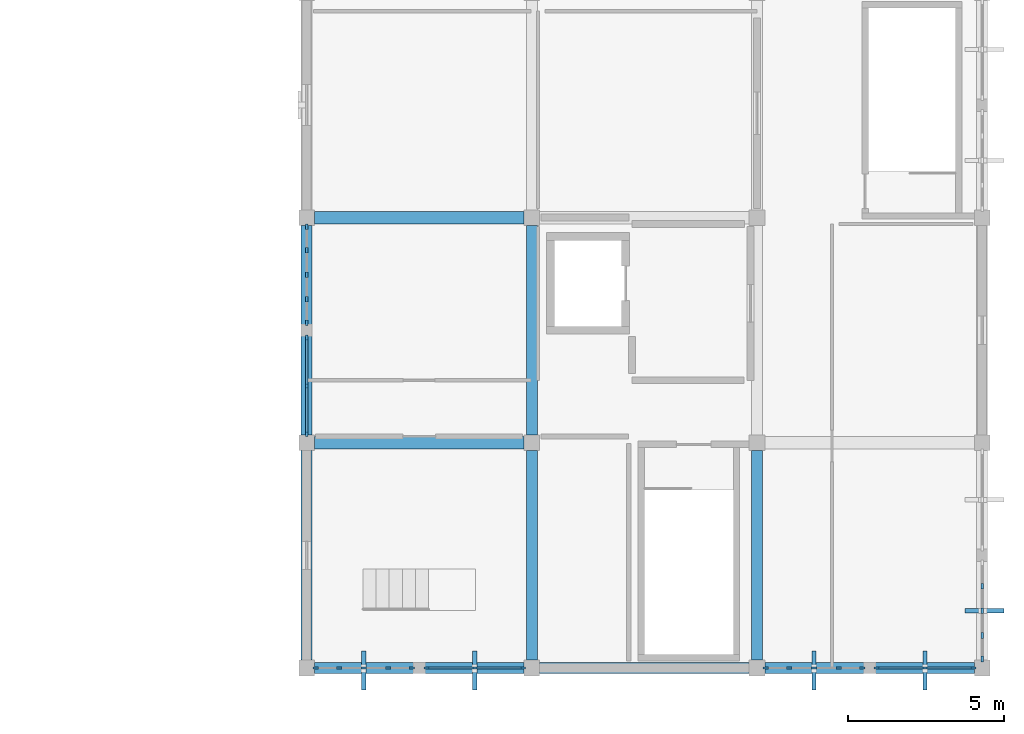
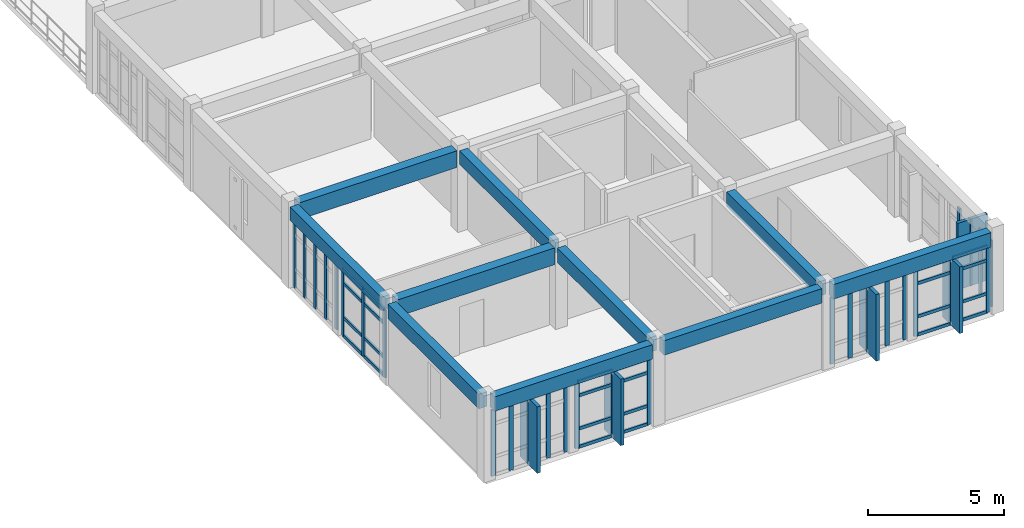
# One storey, part 2 of 14: 57 members, 10 beams, 7 elements without a shape of their own.
"""IFC4 building model written with IfcOpenShell, lengths in metres."""

from ifc_helpers import new_model, si_unit, direction, frame, origin, origin_2d, place, context, subcontext, project, spatial, rectangle, extrude, material, layer, layer_set, material_profile, profile_set, type_object, element, aggregate, save


model = new_model("IFC4")

# Units and contexts
model_context = context("Model", 3, precision=1e-05, world=origin(), true_north=direction((0.0, 1.0)))
body_context = subcontext(model_context, "Body", "Model", "MODEL_VIEW")
ifc_project = project(units=[si_unit("LENGTHUNIT", "METRE"), si_unit("AREAUNIT", "SQUARE_METRE"), si_unit("VOLUMEUNIT", "CUBIC_METRE"), si_unit("PLANEANGLEUNIT", "RADIAN"), si_unit("MASSUNIT", "GRAM", prefix="KILO")], contexts=[model_context])

# Site, building, storey
site_placement = place(None, origin())
site = spatial("IfcSite", under=ifc_project, at=site_placement, CompositionType="ELEMENT")
building_placement = place(site_placement, origin())
building = spatial("IfcBuilding", under=site, at=building_placement, Name="Koriwan Promenade Central Fire Station", CompositionType="ELEMENT")
storey_placement = place(building_placement, frame((0.0, 0.0, 21.300048828125)))
storey = spatial("IfcBuildingStorey", under=building, at=storey_placement, Name="L05", CompositionType="ELEMENT", Elevation=21.300048828125)

# Beams
ifc_material_1 = material(Name="Concrete C35/45", Category="concrete")
ifc_material_profile_1 = material_profile(ifc_material_1, rectangle(XDim=0.35009765625, YDim=0.60009765625, at=origin_2d()), Name="RC-BM-350x600")
ifc_profile_set_1 = profile_set([ifc_material_profile_1], Name="Concrete C35/45")
beam_type_1 = type_object("IfcBeamType", Name="Beam_RC-BM-350x600", PredefinedType="BEAM", material=ifc_profile_set_1)
for number, where, z_axis, x_axis, name in (
    (1, (151.199951171875, 7.449951171875, 3.349853515625), (0.0, 1.0, 0.0), (-1.0, 0.0, 0.0), "V5 L05 girder Y-1002"),
    (2, (158.39990234375, 7.449951171875, 3.349853515625), (0.0, 1.0, 0.0), (-1.0, 0.0, 0.0), "V5 L05 girder Y-1006"),
):
    element("IfcBeam", number, at=place(storey_placement, frame(where, z_axis=z_axis, x_axis=x_axis)), inside=storey, type_object=beam_type_1, Name=name, PredefinedType="BEAM", context=body_context, shape_type="SweptSolid", body=[
        extrude(rectangle(XDim=0.35009765625, YDim=0.60009765625, at=origin_2d()), origin(), (0.0, 0.0, 1.0), 6.699951171875),
    ])
ifc_material_profile_2 = material_profile(ifc_material_1, rectangle(XDim=0.35009765625, YDim=0.64990234375, at=origin_2d()), Name="RC-BM-350x650")
ifc_profile_set_2 = profile_set([ifc_material_profile_2], Name="Concrete C35/45")
beam_type_2 = type_object("IfcBeamType", Name="Beam_RC-BM-350x650", PredefinedType="BEAM", material=ifc_profile_set_2)
for number, where, z_axis, x_axis, name in (
    (3, (151.199951171875, 0.25, 3.324951171875), (0.0, 1.0, 0.0), (-1.0, 0.0, 0.0), "V5 L05 girder Y-1001"),
    (4, (158.39990234375, 0.25, 3.324951171875), (0.0, 1.0, 0.0), (-1.0, 0.0, 0.0), "V5 L05 girder Y-1005"),
    (5, (165.60009765625, 0.25, 3.324951171875), (0.0, 1.0, 0.0), (-1.0, 0.0, 0.0), "V5 L05 girder Y-1009"),
):
    element("IfcBeam", number, at=place(storey_placement, frame(where, z_axis=z_axis, x_axis=x_axis)), inside=storey, type_object=beam_type_2, Name=name, PredefinedType="BEAM", context=body_context, shape_type="SweptSolid", body=[
        extrude(rectangle(XDim=0.35009765625, YDim=0.64990234375, at=origin_2d()), origin(), (0.0, 0.0, 1.0), 6.699951171875),
    ])
ifc_material_profile_3 = material_profile(ifc_material_1, rectangle(XDim=0.39990234375, YDim=0.75, at=origin_2d()), Name="RC-BM-400x750")
ifc_profile_set_3 = profile_set([ifc_material_profile_3], Name="Concrete C35/45")
beam_type_3 = type_object("IfcBeamType", Name="Beam_RC-BM-400x750", PredefinedType="BEAM", material=ifc_profile_set_3)
for number, where, z_axis, x_axis, name in (
    (6, (151.449951171875, 7.199951171875, 3.27490234375), (1.0, 0.0, 0.0), (0.0, 1.0, 0.0), "V5 L05 girder X-991"),
    (7, (151.449951171875, 14.39990234375, 3.27490234375), (1.0, 0.0, 0.0), (0.0, 1.0, 0.0), "V5 L05 girder X-993"),
):
    element("IfcBeam", number, at=place(storey_placement, frame(where, z_axis=z_axis, x_axis=x_axis)), inside=storey, type_object=beam_type_3, Name=name, PredefinedType="BEAM", context=body_context, shape_type="SweptSolid", body=[
        extrude(rectangle(XDim=0.39990234375, YDim=0.75, at=origin_2d()), origin(), (0.0, 0.0, 1.0), 6.699951171875),
    ])
ifc_material_profile_4 = material_profile(ifc_material_1, rectangle(XDim=0.35009765625, YDim=0.64990234375, at=origin_2d()), Name="RC-SP-350x650")
ifc_profile_set_4 = profile_set([ifc_material_profile_4], Name="Concrete C35/45")
beam_type_4 = type_object("IfcBeamType", Name="Beam_RC-SP-350x650", PredefinedType="SPANDREL", material=ifc_profile_set_4)
beam_1_placement = place(storey_placement, frame((151.449951171875, 0.0, 3.324951171875), z_axis=(1.0, 0.0, 0.0), x_axis=(0.0, 1.0, 0.0)))
element("IfcBeam", 8, at=beam_1_placement, inside=storey, type_object=beam_type_4, Name="V5 L05 girder X-988", PredefinedType="SPANDREL", context=body_context, shape_type="SweptSolid", body=[
    extrude(rectangle(XDim=0.35009765625, YDim=0.64990234375, at=origin_2d()), origin(), (0.0, 0.0, 1.0), 6.699951171875),
])
beam_2_placement = place(storey_placement, frame((158.64990234375, 0.0, 3.324951171875), z_axis=(1.0, 0.0, 0.0), x_axis=(0.0, 1.0, 0.0)))
element("IfcBeam", 9, at=beam_2_placement, inside=storey, type_object=beam_type_4, Name="V5 L05 girder X-989", PredefinedType="SPANDREL", context=body_context, shape_type="SweptSolid", body=[
    extrude(rectangle(XDim=0.35009765625, YDim=0.64990234375, at=origin_2d()), origin(), (0.0, 0.0, 1.0), 6.7001953125),
])
beam_3_placement = place(storey_placement, frame((165.85009765625, 0.0, 3.324951171875), z_axis=(1.0, 0.0, 0.0), x_axis=(0.0, 1.0, 0.0)))
element("IfcBeam", 10, at=beam_3_placement, inside=storey, type_object=beam_type_4, Name="V5 L05 girder X-990", PredefinedType="SPANDREL", context=body_context, shape_type="SweptSolid", body=[
    extrude(rectangle(XDim=0.35009765625, YDim=0.64990234375, at=origin_2d()), origin(), (0.0, 0.0, 1.0), 6.699951171875),
])

# Curtain wall, members
ifc_material_2 = material(Name="Aluminium EN AW-6063-T6 and low-E glazing", Category="aluminium")
ifc_layer_1 = layer(ifc_material_2, 0.159912109375, Name="Aluminium EN AW-6063-T6 and low-E glazing")
ifc_layer_set_1 = layer_set([ifc_layer_1], Name="Aluminium EN AW-6063-T6 and low-E glazing")
curtain_wall_type_1 = type_object("IfcCurtainWallType", Name="CurtainWall_90_315x299", PredefinedType="USERDEFINED", material=ifc_layer_set_1)
curtain_wall_1_placement = place(storey_placement, origin())
curtain_wall_1 = element("IfcCurtainWall", 11, at=curtain_wall_1_placement, inside=storey, type_object=curtain_wall_type_1, Name="V5 L05 unitised curtain wall 277", ObjectType="UNITISED CURTAIN WALL", PredefinedType="USERDEFINED")
ifc_material_3 = material(Name="Aluminium EN AW-6063-T6", Category="aluminium")
ifc_material_profile_5 = material_profile(ifc_material_3, rectangle(XDim=0.074951171875, YDim=0.179931640625, at=origin_2d()), Name="ALU-MUL-75x180")
ifc_profile_set_5 = profile_set([ifc_material_profile_5], Name="Aluminium EN AW-6063-T6")
member_type_1 = type_object("IfcMemberType", Name="CWMullion_ALU-MUL-75x180", PredefinedType="MULLION", material=ifc_profile_set_5)
member_1_placement = place(storey_placement, frame((172.800048828125, 0.28759765625, 0.0), z_axis=(0.0, 0.0, 1.0), x_axis=(-1.0, 0.0, 0.0)))
member_1 = element("IfcMember", 12, at=member_1_placement, type_object=member_type_1, Name="CW-90 mullion 1", PredefinedType="MULLION", context=body_context, shape_type="SweptSolid", body=[
    extrude(rectangle(XDim=0.074951171875, YDim=0.179931640625, at=origin_2d()), origin(), (0.0, 0.0, 1.0), 2.989990234375),
])
member_2_placement = place(storey_placement, frame((172.800048828125, 1.03759765625, 0.0), z_axis=(0.0, 0.0, 1.0), x_axis=(-1.0, 0.0, 0.0)))
member_2 = element("IfcMember", 13, at=member_2_placement, type_object=member_type_1, Name="CW-90 mullion 2", PredefinedType="MULLION", context=body_context, shape_type="SweptSolid", body=[
    extrude(rectangle(XDim=0.074951171875, YDim=0.179931640625, at=origin_2d()), origin(), (0.0, 0.0, 1.0), 2.989990234375),
])
member_3_placement = place(storey_placement, frame((172.800048828125, 1.824951171875, 0.0), z_axis=(0.0, 0.0, 1.0), x_axis=(-1.0, 0.0, 0.0)))
member_3 = element("IfcMember", 14, at=member_3_placement, type_object=member_type_1, Name="CW-90 mullion 3", PredefinedType="MULLION", context=body_context, shape_type="SweptSolid", body=[
    extrude(rectangle(XDim=0.074951171875, YDim=0.179931640625, at=origin_2d()), origin(), (0.0, 0.0, 1.0), 2.989990234375),
])
member_4_placement = place(storey_placement, frame((172.800048828125, 2.612548828125, 0.0), z_axis=(0.0, 0.0, 1.0), x_axis=(-1.0, 0.0, 0.0)))
member_4 = element("IfcMember", 15, at=member_4_placement, type_object=member_type_1, Name="CW-90 mullion 4", PredefinedType="MULLION", context=body_context, shape_type="SweptSolid", body=[
    extrude(rectangle(XDim=0.074951171875, YDim=0.179931640625, at=origin_2d()), origin(), (0.0, 0.0, 1.0), 2.989990234375),
])
aggregate(curtain_wall_1, [member_1, member_2, member_3, member_4])

ifc_layer_2 = layer(ifc_material_2, 0.159912109375, Name="Aluminium EN AW-6063-T6 and low-E glazing")
ifc_layer_set_2 = layer_set([ifc_layer_2], Name="Aluminium EN AW-6063-T6 and low-E glazing")
curtain_wall_type_2 = type_object("IfcCurtainWallType", Name="CurtainWall_91_315x304", PredefinedType="USERDEFINED", material=ifc_layer_set_2)
curtain_wall_2_placement = place(storey_placement, origin())
curtain_wall_2 = element("IfcCurtainWall", 16, at=curtain_wall_2_placement, inside=storey, type_object=curtain_wall_type_2, Name="V5 L05 unitised curtain wall 283", ObjectType="UNITISED CURTAIN WALL", PredefinedType="USERDEFINED")
member_5_placement = place(storey_placement, frame((151.199951171875, 14.112548828125, 0.0), z_axis=(0.0, 0.0, 1.0), x_axis=(1.0, 0.0, 0.0)))
member_5 = element("IfcMember", 17, at=member_5_placement, type_object=member_type_1, Name="CW-91 mullion 1", PredefinedType="MULLION", context=body_context, shape_type="SweptSolid", body=[
    extrude(rectangle(XDim=0.074951171875, YDim=0.179931640625, at=origin_2d()), origin(), (0.0, 0.0, 1.0), 3.0400390625),
])
member_6_placement = place(storey_placement, frame((151.199951171875, 13.362548828125, 0.0), z_axis=(0.0, 0.0, 1.0), x_axis=(1.0, 0.0, 0.0)))
member_6 = element("IfcMember", 18, at=member_6_placement, type_object=member_type_1, Name="CW-91 mullion 2", PredefinedType="MULLION", context=body_context, shape_type="SweptSolid", body=[
    extrude(rectangle(XDim=0.074951171875, YDim=0.179931640625, at=origin_2d()), origin(), (0.0, 0.0, 1.0), 3.0400390625),
])
member_7_placement = place(storey_placement, frame((151.199951171875, 12.574951171875, 0.0), z_axis=(0.0, 0.0, 1.0), x_axis=(1.0, 0.0, 0.0)))
member_7 = element("IfcMember", 19, at=member_7_placement, type_object=member_type_1, Name="CW-91 mullion 3", PredefinedType="MULLION", context=body_context, shape_type="SweptSolid", body=[
    extrude(rectangle(XDim=0.074951171875, YDim=0.179931640625, at=origin_2d()), origin(), (0.0, 0.0, 1.0), 3.0400390625),
])
member_8_placement = place(storey_placement, frame((151.199951171875, 11.78759765625, 0.0), z_axis=(0.0, 0.0, 1.0), x_axis=(1.0, 0.0, 0.0)))
member_8 = element("IfcMember", 20, at=member_8_placement, type_object=member_type_1, Name="CW-91 mullion 4", PredefinedType="MULLION", context=body_context, shape_type="SweptSolid", body=[
    extrude(rectangle(XDim=0.074951171875, YDim=0.179931640625, at=origin_2d()), origin(), (0.0, 0.0, 1.0), 3.0400390625),
])
member_9_placement = place(storey_placement, frame((151.199951171875, 11.03759765625, 0.0), z_axis=(0.0, 0.0, 1.0), x_axis=(1.0, 0.0, 0.0)))
member_9 = element("IfcMember", 21, at=member_9_placement, type_object=member_type_1, Name="CW-91 mullion 5", PredefinedType="MULLION", context=body_context, shape_type="SweptSolid", body=[
    extrude(rectangle(XDim=0.074951171875, YDim=0.179931640625, at=origin_2d()), origin(), (0.0, 0.0, 1.0), 3.0400390625),
])
aggregate(curtain_wall_2, [member_5, member_6, member_7, member_8, member_9])

ifc_layer_3 = layer(ifc_material_2, 0.159912109375, Name="Aluminium EN AW-6063-T6 and low-E glazing")
ifc_layer_set_3 = layer_set([ifc_layer_3], Name="Aluminium EN AW-6063-T6 and low-E glazing")
curtain_wall_type_3 = type_object("IfcCurtainWallType", Name="CurtainWall_92_315x304", PredefinedType="USERDEFINED", material=ifc_layer_set_3)
curtain_wall_3_placement = place(storey_placement, origin())
curtain_wall_3 = element("IfcCurtainWall", 22, at=curtain_wall_3_placement, inside=storey, type_object=curtain_wall_type_3, Name="V5 L05 unitised curtain wall 284", ObjectType="UNITISED CURTAIN WALL", PredefinedType="USERDEFINED")
member_10_placement = place(storey_placement, frame((151.199951171875, 10.5625, 0.0), z_axis=(0.0, 0.0, 1.0), x_axis=(1.0, 0.0, 0.0)))
member_10 = element("IfcMember", 23, at=member_10_placement, type_object=member_type_1, Name="CW-92 mullion 1", PredefinedType="MULLION", context=body_context, shape_type="SweptSolid", body=[
    extrude(rectangle(XDim=0.074951171875, YDim=0.179931640625, at=origin_2d()), origin(), (0.0, 0.0, 1.0), 3.0400390625),
])
member_11_placement = place(storey_placement, frame((151.199951171875, 9.02490234375, 0.0), z_axis=(0.0, 0.0, 1.0), x_axis=(1.0, 0.0, 0.0)))
member_11 = element("IfcMember", 24, at=member_11_placement, type_object=member_type_1, Name="CW-92 mullion 2", PredefinedType="MULLION", context=body_context, shape_type="SweptSolid", body=[
    extrude(rectangle(XDim=0.074951171875, YDim=0.179931640625, at=origin_2d()), origin(), (0.0, 0.0, 1.0), 3.0400390625),
])
member_12_placement = place(storey_placement, frame((151.199951171875, 7.487548828125, 0.0), z_axis=(0.0, 0.0, 1.0), x_axis=(1.0, 0.0, 0.0)))
member_12 = element("IfcMember", 25, at=member_12_placement, type_object=member_type_1, Name="CW-92 mullion 3", PredefinedType="MULLION", context=body_context, shape_type="SweptSolid", body=[
    extrude(rectangle(XDim=0.074951171875, YDim=0.179931640625, at=origin_2d()), origin(), (0.0, 0.0, 1.0), 3.0400390625),
])

curtain_wall_4_placement = place(storey_placement, origin())
curtain_wall_4 = element("IfcCurtainWall", 26, at=curtain_wall_4_placement, inside=storey, type_object=curtain_wall_type_1, Name="V5 L05 unitised curtain wall 285", ObjectType="UNITISED CURTAIN WALL", PredefinedType="USERDEFINED")
member_13_placement = place(storey_placement, frame((151.487548828125, 0.0, 0.0), z_axis=(0.0, 0.0, 1.0), x_axis=(0.0, 1.0, 0.0)))
member_13 = element("IfcMember", 27, at=member_13_placement, type_object=member_type_1, Name="CW-90 mullion 1", PredefinedType="MULLION", context=body_context, shape_type="SweptSolid", body=[
    extrude(rectangle(XDim=0.074951171875, YDim=0.179931640625, at=origin_2d()), origin(), (0.0, 0.0, 1.0), 2.989990234375),
])
member_14_placement = place(storey_placement, frame((152.237548828125, 0.0, 0.0), z_axis=(0.0, 0.0, 1.0), x_axis=(0.0, 1.0, 0.0)))
member_14 = element("IfcMember", 28, at=member_14_placement, type_object=member_type_1, Name="CW-90 mullion 2", PredefinedType="MULLION", context=body_context, shape_type="SweptSolid", body=[
    extrude(rectangle(XDim=0.074951171875, YDim=0.179931640625, at=origin_2d()), origin(), (0.0, 0.0, 1.0), 2.989990234375),
])
member_15_placement = place(storey_placement, frame((153.02490234375, 0.0, 0.0), z_axis=(0.0, 0.0, 1.0), x_axis=(0.0, 1.0, 0.0)))
member_15 = element("IfcMember", 29, at=member_15_placement, type_object=member_type_1, Name="CW-90 mullion 3", PredefinedType="MULLION", context=body_context, shape_type="SweptSolid", body=[
    extrude(rectangle(XDim=0.074951171875, YDim=0.179931640625, at=origin_2d()), origin(), (0.0, 0.0, 1.0), 2.989990234375),
])
member_16_placement = place(storey_placement, frame((153.8125, 0.0, 0.0), z_axis=(0.0, 0.0, 1.0), x_axis=(0.0, 1.0, 0.0)))
member_16 = element("IfcMember", 30, at=member_16_placement, type_object=member_type_1, Name="CW-90 mullion 4", PredefinedType="MULLION", context=body_context, shape_type="SweptSolid", body=[
    extrude(rectangle(XDim=0.074951171875, YDim=0.179931640625, at=origin_2d()), origin(), (0.0, 0.0, 1.0), 2.989990234375),
])
member_17_placement = place(storey_placement, frame((154.5625, 0.0, 0.0), z_axis=(0.0, 0.0, 1.0), x_axis=(0.0, 1.0, 0.0)))
member_17 = element("IfcMember", 31, at=member_17_placement, type_object=member_type_1, Name="CW-90 mullion 5", PredefinedType="MULLION", context=body_context, shape_type="SweptSolid", body=[
    extrude(rectangle(XDim=0.074951171875, YDim=0.179931640625, at=origin_2d()), origin(), (0.0, 0.0, 1.0), 2.989990234375),
])
aggregate(curtain_wall_4, [member_13, member_14, member_15, member_16, member_17])

ifc_layer_4 = layer(ifc_material_2, 0.159912109375, Name="Aluminium EN AW-6063-T6 and low-E glazing")
ifc_layer_set_4 = layer_set([ifc_layer_4], Name="Aluminium EN AW-6063-T6 and low-E glazing")
curtain_wall_type_4 = type_object("IfcCurtainWallType", Name="CurtainWall_15_315x299", PredefinedType="USERDEFINED", material=ifc_layer_set_4)
curtain_wall_5_placement = place(storey_placement, origin())
curtain_wall_5 = element("IfcCurtainWall", 32, at=curtain_wall_5_placement, inside=storey, type_object=curtain_wall_type_4, Name="V5 L05 unitised curtain wall 286", ObjectType="UNITISED CURTAIN WALL", PredefinedType="USERDEFINED")
member_18_placement = place(storey_placement, frame((155.03759765625, 0.0, 0.0), z_axis=(0.0, 0.0, 1.0), x_axis=(0.0, 1.0, 0.0)))
member_18 = element("IfcMember", 33, at=member_18_placement, type_object=member_type_1, Name="CW-15 mullion 1", PredefinedType="MULLION", context=body_context, shape_type="SweptSolid", body=[
    extrude(rectangle(XDim=0.074951171875, YDim=0.179931640625, at=origin_2d()), origin(), (0.0, 0.0, 1.0), 2.989990234375),
])
member_19_placement = place(storey_placement, frame((156.574951171875, 0.0, 0.0), z_axis=(0.0, 0.0, 1.0), x_axis=(0.0, 1.0, 0.0)))
member_19 = element("IfcMember", 34, at=member_19_placement, type_object=member_type_1, Name="CW-15 mullion 2", PredefinedType="MULLION", context=body_context, shape_type="SweptSolid", body=[
    extrude(rectangle(XDim=0.074951171875, YDim=0.179931640625, at=origin_2d()), origin(), (0.0, 0.0, 1.0), 2.989990234375),
])
member_20_placement = place(storey_placement, frame((158.112548828125, 0.0, 0.0), z_axis=(0.0, 0.0, 1.0), x_axis=(0.0, 1.0, 0.0)))
member_20 = element("IfcMember", 35, at=member_20_placement, type_object=member_type_1, Name="CW-15 mullion 3", PredefinedType="MULLION", context=body_context, shape_type="SweptSolid", body=[
    extrude(rectangle(XDim=0.074951171875, YDim=0.179931640625, at=origin_2d()), origin(), (0.0, 0.0, 1.0), 2.989990234375),
])

curtain_wall_6_placement = place(storey_placement, origin())
curtain_wall_6 = element("IfcCurtainWall", 36, at=curtain_wall_6_placement, inside=storey, type_object=curtain_wall_type_1, Name="V5 L05 unitised curtain wall 287", ObjectType="UNITISED CURTAIN WALL", PredefinedType="USERDEFINED")
member_21_placement = place(storey_placement, frame((165.887451171875, 0.0, 0.0), z_axis=(0.0, 0.0, 1.0), x_axis=(0.0, 1.0, 0.0)))
member_21 = element("IfcMember", 37, at=member_21_placement, type_object=member_type_1, Name="CW-90 mullion 1", PredefinedType="MULLION", context=body_context, shape_type="SweptSolid", body=[
    extrude(rectangle(XDim=0.074951171875, YDim=0.179931640625, at=origin_2d()), origin(), (0.0, 0.0, 1.0), 2.989990234375),
])
member_22_placement = place(storey_placement, frame((166.637451171875, 0.0, 0.0), z_axis=(0.0, 0.0, 1.0), x_axis=(0.0, 1.0, 0.0)))
member_22 = element("IfcMember", 38, at=member_22_placement, type_object=member_type_1, Name="CW-90 mullion 2", PredefinedType="MULLION", context=body_context, shape_type="SweptSolid", body=[
    extrude(rectangle(XDim=0.074951171875, YDim=0.179931640625, at=origin_2d()), origin(), (0.0, 0.0, 1.0), 2.989990234375),
])
member_23_placement = place(storey_placement, frame((167.425048828125, 0.0, 0.0), z_axis=(0.0, 0.0, 1.0), x_axis=(0.0, 1.0, 0.0)))
member_23 = element("IfcMember", 39, at=member_23_placement, type_object=member_type_1, Name="CW-90 mullion 3", PredefinedType="MULLION", context=body_context, shape_type="SweptSolid", body=[
    extrude(rectangle(XDim=0.074951171875, YDim=0.179931640625, at=origin_2d()), origin(), (0.0, 0.0, 1.0), 2.989990234375),
])
member_24_placement = place(storey_placement, frame((168.21240234375, 0.0, 0.0), z_axis=(0.0, 0.0, 1.0), x_axis=(0.0, 1.0, 0.0)))
member_24 = element("IfcMember", 40, at=member_24_placement, type_object=member_type_1, Name="CW-90 mullion 4", PredefinedType="MULLION", context=body_context, shape_type="SweptSolid", body=[
    extrude(rectangle(XDim=0.074951171875, YDim=0.179931640625, at=origin_2d()), origin(), (0.0, 0.0, 1.0), 2.989990234375),
])
member_25_placement = place(storey_placement, frame((168.96240234375, 0.0, 0.0), z_axis=(0.0, 0.0, 1.0), x_axis=(0.0, 1.0, 0.0)))
member_25 = element("IfcMember", 41, at=member_25_placement, type_object=member_type_1, Name="CW-90 mullion 5", PredefinedType="MULLION", context=body_context, shape_type="SweptSolid", body=[
    extrude(rectangle(XDim=0.074951171875, YDim=0.179931640625, at=origin_2d()), origin(), (0.0, 0.0, 1.0), 2.989990234375),
])
aggregate(curtain_wall_6, [member_21, member_22, member_23, member_24, member_25])

curtain_wall_7_placement = place(storey_placement, origin())
curtain_wall_7 = element("IfcCurtainWall", 42, at=curtain_wall_7_placement, inside=storey, type_object=curtain_wall_type_4, Name="V5 L05 unitised curtain wall 288", ObjectType="UNITISED CURTAIN WALL", PredefinedType="USERDEFINED")
member_26_placement = place(storey_placement, frame((169.4375, 0.0, 0.0), z_axis=(0.0, 0.0, 1.0), x_axis=(0.0, 1.0, 0.0)))
member_26 = element("IfcMember", 43, at=member_26_placement, type_object=member_type_1, Name="CW-15 mullion 1", PredefinedType="MULLION", context=body_context, shape_type="SweptSolid", body=[
    extrude(rectangle(XDim=0.074951171875, YDim=0.179931640625, at=origin_2d()), origin(), (0.0, 0.0, 1.0), 2.989990234375),
])
member_27_placement = place(storey_placement, frame((170.97509765625, 0.0, 0.0), z_axis=(0.0, 0.0, 1.0), x_axis=(0.0, 1.0, 0.0)))
member_27 = element("IfcMember", 44, at=member_27_placement, type_object=member_type_1, Name="CW-15 mullion 2", PredefinedType="MULLION", context=body_context, shape_type="SweptSolid", body=[
    extrude(rectangle(XDim=0.074951171875, YDim=0.179931640625, at=origin_2d()), origin(), (0.0, 0.0, 1.0), 2.989990234375),
])
member_28_placement = place(storey_placement, frame((172.512451171875, 0.0, 0.0), z_axis=(0.0, 0.0, 1.0), x_axis=(0.0, 1.0, 0.0)))
member_28 = element("IfcMember", 45, at=member_28_placement, type_object=member_type_1, Name="CW-15 mullion 3", PredefinedType="MULLION", context=body_context, shape_type="SweptSolid", body=[
    extrude(rectangle(XDim=0.074951171875, YDim=0.179931640625, at=origin_2d()), origin(), (0.0, 0.0, 1.0), 2.989990234375),
])

# Member
ifc_material_profile_6 = material_profile(ifc_material_3, rectangle(XDim=0.074951171875, YDim=0.139892578125, at=origin_2d()), Name="ALU-TRN-75x140")
ifc_profile_set_6 = profile_set([ifc_material_profile_6], Name="Aluminium EN AW-6063-T6")
member_type_2 = type_object("IfcMemberType", Name="CWTransom_ALU-TRN-75x140", PredefinedType="USERDEFINED", material=ifc_profile_set_6)
member_29_placement = place(storey_placement, frame((151.199951171875, 10.52490234375, 0.037353515625), z_axis=(0.0, -1.0, 0.0), x_axis=(1.0, 0.0, 0.0)))
member_29 = element("IfcMember", 46, at=member_29_placement, type_object=member_type_2, Name="CW-92 transom 1.1", ObjectType="TRANSOM", PredefinedType="USERDEFINED", context=body_context, shape_type="SweptSolid", body=[
    extrude(rectangle(XDim=0.074951171875, YDim=0.139892578125, at=origin_2d()), origin(), (0.0, 0.0, 1.0), 1.46240234375),
])

member_30_placement = place(storey_placement, frame((151.199951171875, 10.52490234375, 0.849853515625), z_axis=(0.0, -1.0, 0.0), x_axis=(1.0, 0.0, 0.0)))
member_30 = element("IfcMember", 47, at=member_30_placement, type_object=member_type_2, Name="CW-92 transom 1.2", ObjectType="TRANSOM", PredefinedType="USERDEFINED", context=body_context, shape_type="SweptSolid", body=[
    extrude(rectangle(XDim=0.074951171875, YDim=0.139892578125, at=origin_2d()), origin(), (0.0, 0.0, 1.0), 1.46240234375),
])

member_31_placement = place(storey_placement, frame((151.199951171875, 10.52490234375, 2.389892578125), z_axis=(0.0, -1.0, 0.0), x_axis=(1.0, 0.0, 0.0)))
member_31 = element("IfcMember", 48, at=member_31_placement, type_object=member_type_2, Name="CW-92 transom 1.3", ObjectType="TRANSOM", PredefinedType="USERDEFINED", context=body_context, shape_type="SweptSolid", body=[
    extrude(rectangle(XDim=0.074951171875, YDim=0.139892578125, at=origin_2d()), origin(), (0.0, 0.0, 1.0), 1.46240234375),
])

member_32_placement = place(storey_placement, frame((151.199951171875, 10.52490234375, 3.00244140625), z_axis=(0.0, -1.0, 0.0), x_axis=(1.0, 0.0, 0.0)))
member_32 = element("IfcMember", 49, at=member_32_placement, type_object=member_type_2, Name="CW-92 transom 1.4", ObjectType="TRANSOM", PredefinedType="USERDEFINED", context=body_context, shape_type="SweptSolid", body=[
    extrude(rectangle(XDim=0.074951171875, YDim=0.139892578125, at=origin_2d()), origin(), (0.0, 0.0, 1.0), 1.46240234375),
])

member_33_placement = place(storey_placement, frame((151.199951171875, 8.987548828125, 0.037353515625), z_axis=(0.0, -1.0, 0.0), x_axis=(1.0, 0.0, 0.0)))
member_33 = element("IfcMember", 50, at=member_33_placement, type_object=member_type_2, Name="CW-92 transom 2.1", ObjectType="TRANSOM", PredefinedType="USERDEFINED", context=body_context, shape_type="SweptSolid", body=[
    extrude(rectangle(XDim=0.074951171875, YDim=0.139892578125, at=origin_2d()), origin(), (0.0, 0.0, 1.0), 1.462646484375),
])

member_34_placement = place(storey_placement, frame((151.199951171875, 8.987548828125, 0.849853515625), z_axis=(0.0, -1.0, 0.0), x_axis=(1.0, 0.0, 0.0)))
member_34 = element("IfcMember", 51, at=member_34_placement, type_object=member_type_2, Name="CW-92 transom 2.2", ObjectType="TRANSOM", PredefinedType="USERDEFINED", context=body_context, shape_type="SweptSolid", body=[
    extrude(rectangle(XDim=0.074951171875, YDim=0.139892578125, at=origin_2d()), origin(), (0.0, 0.0, 1.0), 1.462646484375),
])

member_35_placement = place(storey_placement, frame((151.199951171875, 8.987548828125, 2.389892578125), z_axis=(0.0, -1.0, 0.0), x_axis=(1.0, 0.0, 0.0)))
member_35 = element("IfcMember", 52, at=member_35_placement, type_object=member_type_2, Name="CW-92 transom 2.3", ObjectType="TRANSOM", PredefinedType="USERDEFINED", context=body_context, shape_type="SweptSolid", body=[
    extrude(rectangle(XDim=0.074951171875, YDim=0.139892578125, at=origin_2d()), origin(), (0.0, 0.0, 1.0), 1.462646484375),
])

member_36_placement = place(storey_placement, frame((151.199951171875, 8.987548828125, 3.00244140625), z_axis=(0.0, -1.0, 0.0), x_axis=(1.0, 0.0, 0.0)))
member_36 = element("IfcMember", 53, at=member_36_placement, type_object=member_type_2, Name="CW-92 transom 2.4", ObjectType="TRANSOM", PredefinedType="USERDEFINED", context=body_context, shape_type="SweptSolid", body=[
    extrude(rectangle(XDim=0.074951171875, YDim=0.139892578125, at=origin_2d()), origin(), (0.0, 0.0, 1.0), 1.462646484375),
])

aggregate(curtain_wall_3, [member_10, member_11, member_12, member_29, member_30, member_31, member_32, member_33, member_34, member_35, member_36])

member_37_placement = place(storey_placement, frame((155.074951171875, 0.0, 0.037353515625), z_axis=(1.0, 0.0, 0.0), x_axis=(0.0, 1.0, 0.0)))
member_37 = element("IfcMember", 54, at=member_37_placement, type_object=member_type_2, Name="CW-15 transom 1.1", ObjectType="TRANSOM", PredefinedType="USERDEFINED", context=body_context, shape_type="SweptSolid", body=[
    extrude(rectangle(XDim=0.074951171875, YDim=0.139892578125, at=origin_2d()), origin(), (0.0, 0.0, 1.0), 1.462646484375),
])

member_38_placement = place(storey_placement, frame((155.074951171875, 0.0, 0.849853515625), z_axis=(1.0, 0.0, 0.0), x_axis=(0.0, 1.0, 0.0)))
member_38 = element("IfcMember", 55, at=member_38_placement, type_object=member_type_2, Name="CW-15 transom 1.2", ObjectType="TRANSOM", PredefinedType="USERDEFINED", context=body_context, shape_type="SweptSolid", body=[
    extrude(rectangle(XDim=0.074951171875, YDim=0.139892578125, at=origin_2d()), origin(), (0.0, 0.0, 1.0), 1.462646484375),
])

member_39_placement = place(storey_placement, frame((155.074951171875, 0.0, 2.33984375), z_axis=(1.0, 0.0, 0.0), x_axis=(0.0, 1.0, 0.0)))
member_39 = element("IfcMember", 56, at=member_39_placement, type_object=member_type_2, Name="CW-15 transom 1.3", ObjectType="TRANSOM", PredefinedType="USERDEFINED", context=body_context, shape_type="SweptSolid", body=[
    extrude(rectangle(XDim=0.074951171875, YDim=0.139892578125, at=origin_2d()), origin(), (0.0, 0.0, 1.0), 1.462646484375),
])

member_40_placement = place(storey_placement, frame((155.074951171875, 0.0, 2.952392578125), z_axis=(1.0, 0.0, 0.0), x_axis=(0.0, 1.0, 0.0)))
member_40 = element("IfcMember", 57, at=member_40_placement, type_object=member_type_2, Name="CW-15 transom 1.4", ObjectType="TRANSOM", PredefinedType="USERDEFINED", context=body_context, shape_type="SweptSolid", body=[
    extrude(rectangle(XDim=0.074951171875, YDim=0.139892578125, at=origin_2d()), origin(), (0.0, 0.0, 1.0), 1.462646484375),
])

member_41_placement = place(storey_placement, frame((156.612548828125, 0.0, 0.037353515625), z_axis=(1.0, 0.0, 0.0), x_axis=(0.0, 1.0, 0.0)))
member_41 = element("IfcMember", 58, at=member_41_placement, type_object=member_type_2, Name="CW-15 transom 2.1", ObjectType="TRANSOM", PredefinedType="USERDEFINED", context=body_context, shape_type="SweptSolid", body=[
    extrude(rectangle(XDim=0.074951171875, YDim=0.139892578125, at=origin_2d()), origin(), (0.0, 0.0, 1.0), 1.46240234375),
])

member_42_placement = place(storey_placement, frame((156.612548828125, 0.0, 0.849853515625), z_axis=(1.0, 0.0, 0.0), x_axis=(0.0, 1.0, 0.0)))
member_42 = element("IfcMember", 59, at=member_42_placement, type_object=member_type_2, Name="CW-15 transom 2.2", ObjectType="TRANSOM", PredefinedType="USERDEFINED", context=body_context, shape_type="SweptSolid", body=[
    extrude(rectangle(XDim=0.074951171875, YDim=0.139892578125, at=origin_2d()), origin(), (0.0, 0.0, 1.0), 1.46240234375),
])

member_43_placement = place(storey_placement, frame((156.612548828125, 0.0, 2.33984375), z_axis=(1.0, 0.0, 0.0), x_axis=(0.0, 1.0, 0.0)))
member_43 = element("IfcMember", 60, at=member_43_placement, type_object=member_type_2, Name="CW-15 transom 2.3", ObjectType="TRANSOM", PredefinedType="USERDEFINED", context=body_context, shape_type="SweptSolid", body=[
    extrude(rectangle(XDim=0.074951171875, YDim=0.139892578125, at=origin_2d()), origin(), (0.0, 0.0, 1.0), 1.46240234375),
])

member_44_placement = place(storey_placement, frame((156.612548828125, 0.0, 2.952392578125), z_axis=(1.0, 0.0, 0.0), x_axis=(0.0, 1.0, 0.0)))
member_44 = element("IfcMember", 61, at=member_44_placement, type_object=member_type_2, Name="CW-15 transom 2.4", ObjectType="TRANSOM", PredefinedType="USERDEFINED", context=body_context, shape_type="SweptSolid", body=[
    extrude(rectangle(XDim=0.074951171875, YDim=0.139892578125, at=origin_2d()), origin(), (0.0, 0.0, 1.0), 1.46240234375),
])

aggregate(curtain_wall_5, [member_18, member_19, member_20, member_37, member_38, member_39, member_40, member_41, member_42, member_43, member_44])

member_45_placement = place(storey_placement, frame((169.47509765625, 0.0, 0.037353515625), z_axis=(1.0, 0.0, 0.0), x_axis=(0.0, 1.0, 0.0)))
member_45 = element("IfcMember", 62, at=member_45_placement, type_object=member_type_2, Name="CW-15 transom 1.1", ObjectType="TRANSOM", PredefinedType="USERDEFINED", context=body_context, shape_type="SweptSolid", body=[
    extrude(rectangle(XDim=0.074951171875, YDim=0.139892578125, at=origin_2d()), origin(), (0.0, 0.0, 1.0), 1.46240234375),
])

member_46_placement = place(storey_placement, frame((169.47509765625, 0.0, 0.849853515625), z_axis=(1.0, 0.0, 0.0), x_axis=(0.0, 1.0, 0.0)))
member_46 = element("IfcMember", 63, at=member_46_placement, type_object=member_type_2, Name="CW-15 transom 1.2", ObjectType="TRANSOM", PredefinedType="USERDEFINED", context=body_context, shape_type="SweptSolid", body=[
    extrude(rectangle(XDim=0.074951171875, YDim=0.139892578125, at=origin_2d()), origin(), (0.0, 0.0, 1.0), 1.46240234375),
])

member_47_placement = place(storey_placement, frame((169.47509765625, 0.0, 2.33984375), z_axis=(1.0, 0.0, 0.0), x_axis=(0.0, 1.0, 0.0)))
member_47 = element("IfcMember", 64, at=member_47_placement, type_object=member_type_2, Name="CW-15 transom 1.3", ObjectType="TRANSOM", PredefinedType="USERDEFINED", context=body_context, shape_type="SweptSolid", body=[
    extrude(rectangle(XDim=0.074951171875, YDim=0.139892578125, at=origin_2d()), origin(), (0.0, 0.0, 1.0), 1.46240234375),
])

member_48_placement = place(storey_placement, frame((169.47509765625, 0.0, 2.952392578125), z_axis=(1.0, 0.0, 0.0), x_axis=(0.0, 1.0, 0.0)))
member_48 = element("IfcMember", 65, at=member_48_placement, type_object=member_type_2, Name="CW-15 transom 1.4", ObjectType="TRANSOM", PredefinedType="USERDEFINED", context=body_context, shape_type="SweptSolid", body=[
    extrude(rectangle(XDim=0.074951171875, YDim=0.139892578125, at=origin_2d()), origin(), (0.0, 0.0, 1.0), 1.46240234375),
])

member_49_placement = place(storey_placement, frame((171.012451171875, 0.0, 0.037353515625), z_axis=(1.0, 0.0, 0.0), x_axis=(0.0, 1.0, 0.0)))
member_49 = element("IfcMember", 66, at=member_49_placement, type_object=member_type_2, Name="CW-15 transom 2.1", ObjectType="TRANSOM", PredefinedType="USERDEFINED", context=body_context, shape_type="SweptSolid", body=[
    extrude(rectangle(XDim=0.074951171875, YDim=0.139892578125, at=origin_2d()), origin(), (0.0, 0.0, 1.0), 1.462646484375),
])

member_50_placement = place(storey_placement, frame((171.012451171875, 0.0, 0.849853515625), z_axis=(1.0, 0.0, 0.0), x_axis=(0.0, 1.0, 0.0)))
member_50 = element("IfcMember", 67, at=member_50_placement, type_object=member_type_2, Name="CW-15 transom 2.2", ObjectType="TRANSOM", PredefinedType="USERDEFINED", context=body_context, shape_type="SweptSolid", body=[
    extrude(rectangle(XDim=0.074951171875, YDim=0.139892578125, at=origin_2d()), origin(), (0.0, 0.0, 1.0), 1.462646484375),
])

member_51_placement = place(storey_placement, frame((171.012451171875, 0.0, 2.33984375), z_axis=(1.0, 0.0, 0.0), x_axis=(0.0, 1.0, 0.0)))
member_51 = element("IfcMember", 68, at=member_51_placement, type_object=member_type_2, Name="CW-15 transom 2.3", ObjectType="TRANSOM", PredefinedType="USERDEFINED", context=body_context, shape_type="SweptSolid", body=[
    extrude(rectangle(XDim=0.074951171875, YDim=0.139892578125, at=origin_2d()), origin(), (0.0, 0.0, 1.0), 1.462646484375),
])

member_52_placement = place(storey_placement, frame((171.012451171875, 0.0, 2.952392578125), z_axis=(1.0, 0.0, 0.0), x_axis=(0.0, 1.0, 0.0)))
member_52 = element("IfcMember", 69, at=member_52_placement, type_object=member_type_2, Name="CW-15 transom 2.4", ObjectType="TRANSOM", PredefinedType="USERDEFINED", context=body_context, shape_type="SweptSolid", body=[
    extrude(rectangle(XDim=0.074951171875, YDim=0.139892578125, at=origin_2d()), origin(), (0.0, 0.0, 1.0), 1.462646484375),
])

aggregate(curtain_wall_7, [member_26, member_27, member_28, member_45, member_46, member_47, member_48, member_49, member_50, member_51, member_52])

# Members
ifc_material_4 = material(Name="Aluminium EN AW-6063-T6 terracotta finish", Category="masonry")
ifc_material_profile_7 = material_profile(ifc_material_4, rectangle(XDim=0.139892578125, YDim=1.25, at=origin_2d()), Name="FIN-TRC-140x1250")
ifc_profile_set_7 = profile_set([ifc_material_profile_7], Name="Aluminium EN AW-6063-T6 terracotta finish")
member_type_3 = type_object("IfcMemberType", Name="SolarFin_FIN-TRC-140x1250", PredefinedType="USERDEFINED", material=ifc_profile_set_7)
for number, where, z_axis, x_axis, name in (
    (70, (172.875, 1.824951171875, 0.0), (0.0, 0.0, 1.0), (0.0, -1.0, 0.0), "V5 L05 terracotta solar fin 101"),
    (71, (153.02490234375, -0.074951171875, 0.0), (0.0, 0.0, 1.0), (-1.0, 0.0, 0.0), "V5 L05 terracotta solar fin 105"),
    (72, (156.574951171875, -0.074951171875, 0.0), (0.0, 0.0, 1.0), (-1.0, 0.0, 0.0), "V5 L05 terracotta solar fin 106"),
    (73, (167.425048828125, -0.074951171875, 0.0), (0.0, 0.0, 1.0), (-1.0, 0.0, 0.0), "V5 L05 terracotta solar fin 107"),
    (74, (170.97509765625, -0.074951171875, 0.0), (0.0, 0.0, 1.0), (-1.0, 0.0, 0.0), "V5 L05 terracotta solar fin 108"),
):
    element("IfcMember", number, at=place(storey_placement, frame(where, z_axis=z_axis, x_axis=x_axis)), inside=storey, type_object=member_type_3, Name=name, ObjectType="SOLAR FIN", PredefinedType="USERDEFINED", context=body_context, shape_type="SweptSolid", body=[
        extrude(rectangle(XDim=0.139892578125, YDim=1.25, at=origin_2d()), origin(), (0.0, 0.0, 1.0), 2.989990234375),
    ])

save(model, "model.ifc")
